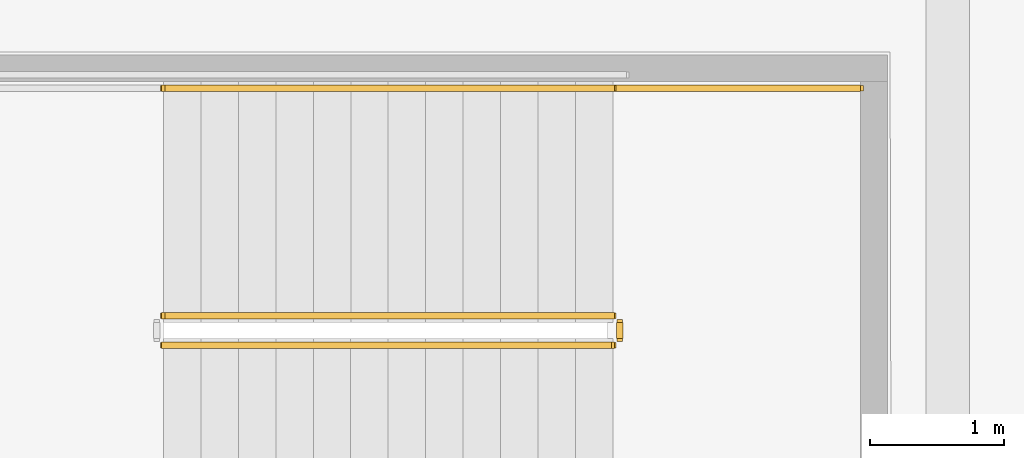
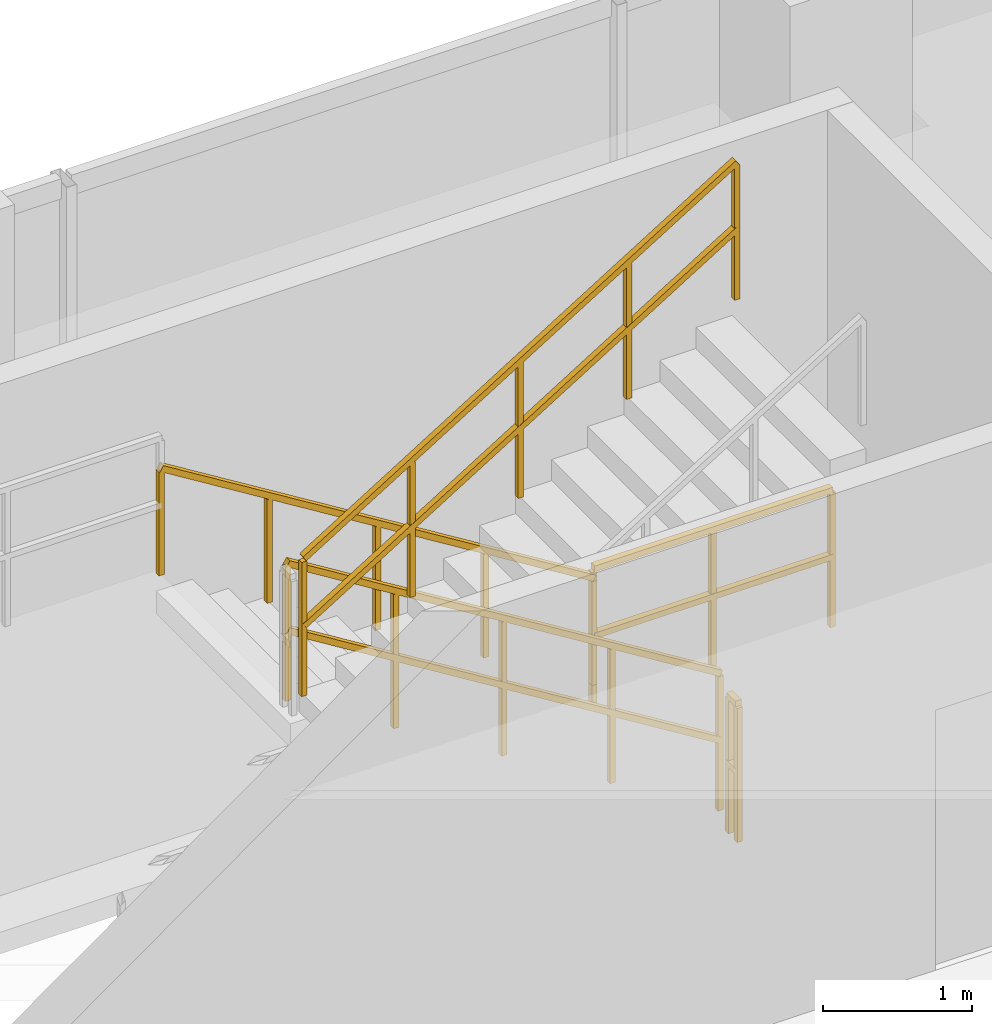
# One storey, part 36 of 36: 5 railings.
"""IFC4 building model written with IfcOpenShell, lengths in metres."""

from ifc_helpers import new_model, si_unit, direction, frame, origin, origin_2d, place, context, subcontext, project, spatial, rectangle, extrude, material, type_object, element, save


model = new_model("IFC4")

# Units and contexts
model_context = context("Model", 3, precision=1e-05, world=origin(), true_north=direction((-0.2419218956, 0.970295726276)))
body_context = subcontext(model_context, "Body", "Model", "MODEL_VIEW")
ifc_project = project(units=[si_unit("LENGTHUNIT", "METRE"), si_unit("AREAUNIT", "SQUARE_METRE"), si_unit("VOLUMEUNIT", "CUBIC_METRE"), si_unit("PLANEANGLEUNIT", "RADIAN"), si_unit("MASSUNIT", "GRAM", prefix="KILO")], contexts=[model_context])

# Site, building, storey
site_placement = place(None, origin())
site = spatial("IfcSite", under=ifc_project, at=site_placement, CompositionType="ELEMENT")
building_placement = place(site_placement, origin())
building = spatial("IfcBuilding", under=site, at=building_placement, Name="Cobrevalo Terracotta Tower", CompositionType="ELEMENT")
storey_placement = place(building_placement, frame((0.0, 0.0, 9.89990234375)))
storey = spatial("IfcBuildingStorey", under=building, at=storey_placement, Name="L02", CompositionType="ELEMENT", Elevation=9.89990234375)

# Railings
ifc_material_1 = material(Name="Brushed stainless steel", Category="steel")
railing_type_1 = type_object("IfcRailingType", Name="Stainless Steel Stair Handrail 900", PredefinedType="HANDRAIL", material=ifc_material_1)
railing_1_placement = place(storey_placement, frame((64.5, 49.469970703125, 0.173095703125)))
element("IfcRailing", 1, at=railing_1_placement, inside=storey, type_object=railing_type_1, Name="L02 ST-P2 stair handrail 1", PredefinedType="HANDRAIL", context=body_context, shape_type="SweptSolid", body=[
    extrude(rectangle(XDim=0.048095703125, YDim=0.048095703125, at=origin_2d()), frame((0.0, 0.0, 0.8759765625), z_axis=(-0.850623216509, 0.0, 0.525775754039), x_axis=(0.0, -1.0, 0.0)), (0.0, 0.0, 1.0), 3.9501953125),
    extrude(rectangle(XDim=0.0419921875, YDim=0.0419921875, at=origin_2d()), origin(), (0.0, 0.0, 1.0), 0.851806640625),
    extrude(rectangle(XDim=0.0419921875, YDim=0.0419921875, at=origin_2d()), frame((-0.840087890625, 0.0, 0.519287109375)), (0.0, 0.0, 1.0), 0.851806640625),
    extrude(rectangle(XDim=0.0419921875, YDim=0.0419921875, at=origin_2d()), frame((-1.68017578125, 0.0, 1.03857421875)), (0.0, 0.0, 1.0), 0.851806640625),
    extrude(rectangle(XDim=0.0419921875, YDim=0.0419921875, at=origin_2d()), frame((-2.52001953125, 0.0, 1.5576171875)), (0.0, 0.0, 1.0), 0.851806640625),
    extrude(rectangle(XDim=0.0419921875, YDim=0.0419921875, at=origin_2d()), frame((-3.360107421875, 0.0, 2.076904296875)), (0.0, 0.0, 1.0), 0.851806640625),
])
ifc_material_2 = material(Name="Painted galvanized steel", Category="steel")
railing_type_2 = type_object("IfcRailingType", Name="Stair Well Guard Balustrade 1150", PredefinedType="GUARDRAIL", material=ifc_material_2)
railing_2_placement = place(storey_placement, frame((64.5, 47.77001953125, 0.173095703125)))
element("IfcRailing", 2, at=railing_2_placement, inside=storey, type_object=railing_type_2, Name="L02 ST-P2 stair guard 1", PredefinedType="GUARDRAIL", context=body_context, shape_type="SweptSolid", body=[
    extrude(rectangle(XDim=0.048095703125, YDim=0.048095703125, at=origin_2d()), frame((0.0, 0.0, 1.1259765625), z_axis=(-0.850623216509, 0.0, 0.525775754039), x_axis=(0.0, -1.0, 0.0)), (0.0, 0.0, 1.0), 3.9501953125),
    extrude(rectangle(XDim=0.048095703125, YDim=0.048095703125, at=origin_2d()), frame((0.0, 0.0, 0.574951171875), z_axis=(-0.850623216509, 0.0, 0.525775754039), x_axis=(0.0, -1.0, 0.0)), (0.0, 0.0, 1.0), 3.9501953125),
    extrude(rectangle(XDim=0.0419921875, YDim=0.0419921875, at=origin_2d()), origin(), (0.0, 0.0, 1.0), 1.101806640625),
    extrude(rectangle(XDim=0.0419921875, YDim=0.0419921875, at=origin_2d()), frame((-0.840087890625, 0.0, 0.519287109375)), (0.0, 0.0, 1.0), 1.101806640625),
    extrude(rectangle(XDim=0.0419921875, YDim=0.0419921875, at=origin_2d()), frame((-1.68017578125, 0.0, 1.03857421875)), (0.0, 0.0, 1.0), 1.101806640625),
    extrude(rectangle(XDim=0.0419921875, YDim=0.0419921875, at=origin_2d()), frame((-2.52001953125, 0.0, 1.5576171875)), (0.0, 0.0, 1.0), 1.101806640625),
    extrude(rectangle(XDim=0.0419921875, YDim=0.0419921875, at=origin_2d()), frame((-3.360107421875, 0.0, 2.076904296875)), (0.0, 0.0, 1.0), 1.101806640625),
])
railing_3_placement = place(storey_placement, frame((61.139892578125, 47.550048828125, 2.423095703125)))
element("IfcRailing", 3, at=railing_3_placement, inside=storey, type_object=railing_type_2, Name="L02 ST-P2 stair guard 6", PredefinedType="GUARDRAIL", context=body_context, shape_type="SweptSolid", body=[
    extrude(rectangle(XDim=0.048095703125, YDim=0.048095703125, at=origin_2d()), frame((0.0, 0.0, 1.1259765625), z_axis=(0.850623216509, 0.0, 0.525775754039), x_axis=(0.0, 1.0, 0.0)), (0.0, 0.0, 1.0), 3.9501953125),
    extrude(rectangle(XDim=0.048095703125, YDim=0.048095703125, at=origin_2d()), frame((0.0, 0.0, 0.574951171875), z_axis=(0.850623216509, 0.0, 0.525775754039), x_axis=(0.0, 1.0, 0.0)), (0.0, 0.0, 1.0), 3.9501953125),
    extrude(rectangle(XDim=0.0419921875, YDim=0.0419921875, at=origin_2d()), origin(), (0.0, 0.0, 1.0), 1.101806640625),
    extrude(rectangle(XDim=0.0419921875, YDim=0.0419921875, at=origin_2d()), frame((0.840087890625, 0.0, 0.519287109375)), (0.0, 0.0, 1.0), 1.101806640625),
    extrude(rectangle(XDim=0.0419921875, YDim=0.0419921875, at=origin_2d()), frame((1.68017578125, 0.0, 1.03857421875)), (0.0, 0.0, 1.0), 1.101806640625),
    extrude(rectangle(XDim=0.0419921875, YDim=0.0419921875, at=origin_2d()), frame((2.52001953125, 0.0, 1.5576171875)), (0.0, 0.0, 1.0), 1.101806640625),
    extrude(rectangle(XDim=0.0419921875, YDim=0.0419921875, at=origin_2d()), frame((3.360107421875, 0.0, 2.076904296875)), (0.0, 0.0, 1.0), 1.101806640625),
])
railing_4_placement = place(storey_placement, frame((64.550048828125, 47.719970703125, 0.0)))
element("IfcRailing", 4, at=railing_4_placement, inside=storey, type_object=railing_type_2, Name="L02 ST-P2 stair guard 7", PredefinedType="GUARDRAIL", context=body_context, shape_type="SweptSolid", body=[
    extrude(rectangle(XDim=0.048095703125, YDim=0.048095703125, at=origin_2d()), frame((0.0, 0.0, 1.1259765625), z_axis=(0.0, -1.0, 0.0), x_axis=(1.0, 0.0, 0.0)), (0.0, 0.0, 1.0), 0.119873046875),
    extrude(rectangle(XDim=0.048095703125, YDim=0.048095703125, at=origin_2d()), frame((0.0, 0.0, 0.574951171875), z_axis=(0.0, -1.0, 0.0), x_axis=(1.0, 0.0, 0.0)), (0.0, 0.0, 1.0), 0.119873046875),
    extrude(rectangle(XDim=0.0419921875, YDim=0.0419921875, at=origin_2d()), origin(), (0.0, 0.0, 1.0), 1.101806640625),
    extrude(rectangle(XDim=0.0419921875, YDim=0.0419921875, at=origin_2d()), frame((0.0, -0.119873046875, 0.0)), (0.0, 0.0, 1.0), 1.101806640625),
])
railing_5_placement = place(storey_placement, frame((66.35009765625, 49.469970703125, 0.0)))
element("IfcRailing", 5, at=railing_5_placement, inside=storey, type_object=railing_type_2, Name="L02 ST-P2 stair guard 8", PredefinedType="GUARDRAIL", context=body_context, shape_type="SweptSolid", body=[
    extrude(rectangle(XDim=0.048095703125, YDim=0.048095703125, at=origin_2d()), frame((0.0, 0.0, 1.1259765625), z_axis=(-1.0, 0.0, 0.0), x_axis=(0.0, -1.0, 0.0)), (0.0, 0.0, 1.0), 1.85009765625),
    extrude(rectangle(XDim=0.048095703125, YDim=0.048095703125, at=origin_2d()), frame((0.0, 0.0, 0.574951171875), z_axis=(-1.0, 0.0, 0.0), x_axis=(0.0, -1.0, 0.0)), (0.0, 0.0, 1.0), 1.85009765625),
    extrude(rectangle(XDim=0.0419921875, YDim=0.0419921875, at=origin_2d()), origin(), (0.0, 0.0, 1.0), 1.101806640625),
    extrude(rectangle(XDim=0.0419921875, YDim=0.0419921875, at=origin_2d()), frame((-0.925048828125, 0.0, 0.0)), (0.0, 0.0, 1.0), 1.101806640625),
    extrude(rectangle(XDim=0.0419921875, YDim=0.0419921875, at=origin_2d()), frame((-1.85009765625, 0.0, 0.0)), (0.0, 0.0, 1.0), 1.101806640625),
])

save(model, "model.ifc")
